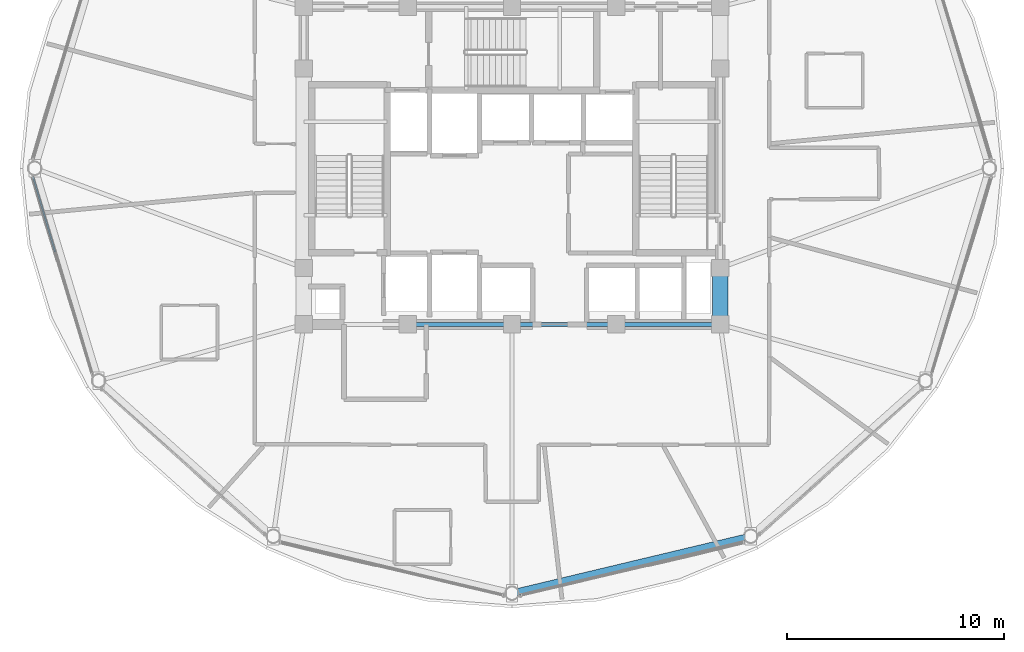
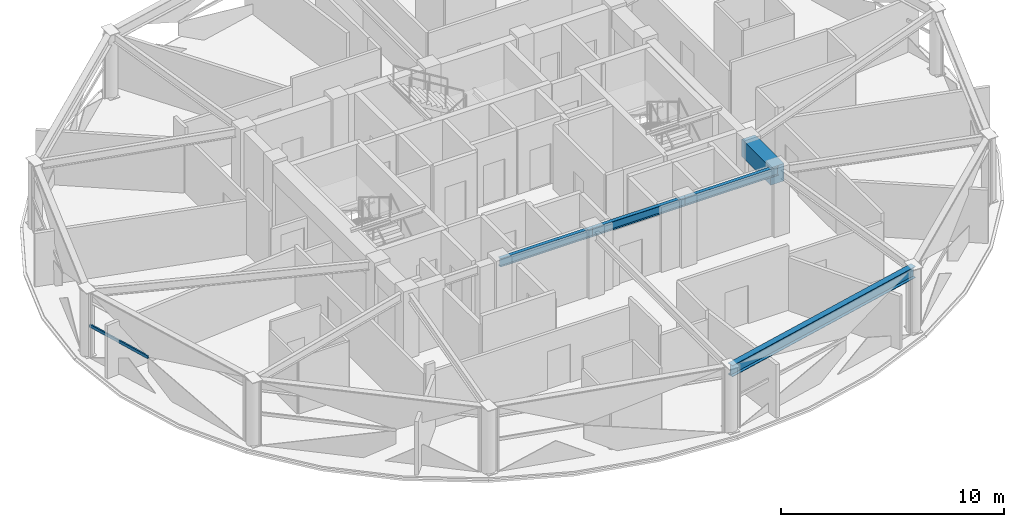
# One storey, part 6 of 28: 5 beams, 1 member, 1 element without a shape of its own.
"""IFC4 building model written with IfcOpenShell, lengths in metres."""

from ifc_helpers import new_model, si_unit, direction, frame, origin, origin_2d, place, context, subcontext, project, spatial, rectangle, hollow_rectangle, i_section, extrude, material, layer, layer_set, material_profile, profile_set, type_object, element, aggregate, save


model = new_model("IFC4")

# Units and contexts
model_context = context("Model", 3, precision=1e-05, world=origin(), true_north=direction((0.0, 1.0)))
body_context = subcontext(model_context, "Body", "Model", "MODEL_VIEW")
ifc_project = project(units=[si_unit("LENGTHUNIT", "METRE"), si_unit("AREAUNIT", "SQUARE_METRE"), si_unit("VOLUMEUNIT", "CUBIC_METRE"), si_unit("PLANEANGLEUNIT", "RADIAN"), si_unit("MASSUNIT", "GRAM", prefix="KILO")], contexts=[model_context])

# Site, building, storey
site_placement = place(None, origin())
site = spatial("IfcSite", under=ifc_project, at=site_placement, CompositionType="ELEMENT")
building_placement = place(site_placement, origin())
building = spatial("IfcBuilding", under=site, at=building_placement, Name="Vantalir Tower", CompositionType="ELEMENT")
storey_placement = place(building_placement, frame((0.0, 0.0, 223.64990234375)))
storey = spatial("IfcBuildingStorey", under=building, at=storey_placement, Name="L56", CompositionType="ELEMENT", Elevation=223.64990234375)

# Beams
ifc_material_1 = material(Name="Concrete C60/75", Category="concrete")
ifc_material_profile_1 = material_profile(ifc_material_1, rectangle(XDim=0.699951171875, YDim=0.949951171875, at=origin_2d()), Name="Concrete C60/75")
ifc_profile_set_1 = profile_set([ifc_material_profile_1], Name="Concrete C60/75")
beam_type_1 = type_object("IfcBeamType", Name="BM-CB-700x950", PredefinedType="USERDEFINED", material=ifc_profile_set_1)
beam_1_placement = place(storey_placement, frame((41.10009765625, 17.800048828125, 3.09521484375), z_axis=(0.0, 1.0, 0.0), x_axis=(-1.0, 0.0, 0.0)))
element("IfcBeam", 1, at=beam_1_placement, inside=storey, type_object=beam_type_1, Name="L56 Core Coupling Girder 05", ObjectType="GIRDER", PredefinedType="USERDEFINED", context=body_context, shape_type="SweptSolid", body=[
    extrude(rectangle(XDim=0.699951171875, YDim=0.949951171875, at=origin_2d()), origin(), (0.0, 0.0, 1.0), 2.599853515625),
])
ifc_material_2 = material(Name="Steel S355", Category="steel")
ifc_material_profile_2 = material_profile(ifc_material_2, i_section(OverallWidth=0.19189453125, OverallDepth=0.462890625, WebThickness=0.010498046875, FlangeThickness=0.017578125, at=origin_2d()), Name="Steel S355")
ifc_profile_set_2 = profile_set([ifc_material_profile_2], Name="Steel S355")
beam_type_2 = type_object("IfcBeamType", Name="BM-RB-457x191", PredefinedType="BEAM", material=ifc_profile_set_2)
for number, where, z_axis, x_axis, name in (
    (2, (26.699951171875, 17.800048828125, 3.338134765625), (1.0, 0.0, 0.0), (0.0, 1.0, 0.0), "L56 Core Coupling Girder 02"),
    (3, (31.5, 17.800048828125, 3.338134765625), (1.0, 0.0, 0.0), (0.0, 1.0, 0.0), "L56 Core Coupling Girder 03"),
    (4, (36.300048828125, 17.800048828125, 3.338134765625), (1.0, 0.0, 0.0), (0.0, 1.0, 0.0), "L56 Core Coupling Girder 04"),
):
    element("IfcBeam", number, at=place(storey_placement, frame(where, z_axis=z_axis, x_axis=x_axis)), inside=storey, type_object=beam_type_2, Name=name, PredefinedType="BEAM", context=body_context, shape_type="SweptSolid", body=[
        extrude(i_section(OverallWidth=0.19189453125, OverallDepth=0.462890625, WebThickness=0.010498046875, FlangeThickness=0.017578125, at=origin_2d()), origin(), (0.0, 0.0, 1.0), 4.800048828125),
    ])
ifc_material_3 = material(Name="Steel S460", Category="steel")
ifc_material_profile_3 = material_profile(ifc_material_3, i_section(OverallWidth=0.306884765625, OverallDepth=0.6201171875, WebThickness=0.01416015625, FlangeThickness=0.023681640625, at=origin_2d()), Name="Steel S460")
ifc_profile_set_3 = profile_set([ifc_material_profile_3], Name="Steel S460")
beam_type_3 = type_object("IfcBeamType", Name="BM-RG-610x305", PredefinedType="USERDEFINED", material=ifc_profile_set_3)
beam_2_placement = place(storey_placement, frame((31.5, 5.404052734375, 3.260009765625), z_axis=(0.972716546071, 0.231996812479, 0.0), x_axis=(-0.231996812479, 0.972716546071, 0.0)))
element("IfcBeam", 5, at=beam_2_placement, inside=storey, type_object=beam_type_3, Name="L56 Circumferential Ring Girder 10", ObjectType="GIRDER", PredefinedType="USERDEFINED", context=body_context, shape_type="SweptSolid", body=[
    extrude(i_section(OverallWidth=0.306884765625, OverallDepth=0.6201171875, WebThickness=0.01416015625, FlangeThickness=0.023681640625, at=origin_2d()), origin(), (0.0, 0.0, 1.0), 11.314697265625),
])

# Curtain wall, member
ifc_material_4 = material(Name="Champagne-silver PVDF aluminium and double-silver Low-E glass", Category="aluminium")
ifc_layer = layer(ifc_material_4, 0.2099609375)
ifc_layer_set = layer_set([ifc_layer], Name="Champagne-silver PVDF aluminium and double-silver Low-E glass")
curtain_wall_type = type_object("IfcCurtainWallType", Name="CW-DIAMOND-Z3", PredefinedType="USERDEFINED", material=ifc_layer_set)
curtain_wall_placement = place(storey_placement, origin())
curtain_wall = element("IfcCurtainWall", 6, at=curtain_wall_placement, inside=storey, type_object=curtain_wall_type, Name="L56 Quilted Pyramid-Diamond Curtain Wall S07", ObjectType="UNITISED CURTAIN WALL", PredefinedType="USERDEFINED")
ifc_material_5 = material(Name="Champagne-silver PVDF aluminium 6063-T6", Category="aluminium")
ifc_material_profile_4 = material_profile(ifc_material_5, hollow_rectangle(XDim=0.074951171875, YDim=0.159912109375, WallThickness=0.00390625, at=origin_2d()), Name="Champagne-silver PVDF aluminium 6063-T6")
ifc_profile_set_4 = profile_set([ifc_material_profile_4], Name="Champagne-silver PVDF aluminium 6063-T6")
member_type = type_object("IfcMemberType", Name="CWT-160x75", PredefinedType="USERDEFINED", material=ifc_profile_set_4)
member_placement = place(storey_placement, frame((9.4150390625, 24.60693359375, 1.78515625), z_axis=(0.281598903919, -0.959532207543, 0.0), x_axis=(0.959532207543, 0.281598903919, 0.0)))
member = element("IfcMember", 7, at=member_placement, type_object=member_type, Name="CW-L56-S07 Pyramid Fold Ridge Transom", ObjectType="TRANSOM", PredefinedType="USERDEFINED", context=body_context, shape_type="SweptSolid", body=[
    extrude(hollow_rectangle(XDim=0.074951171875, YDim=0.159912109375, WallThickness=0.00390625, at=origin_2d()), origin(), (0.0, 0.0, 1.0), 3.611083984375),
])
aggregate(curtain_wall, [member])

save(model, "model.ifc")
